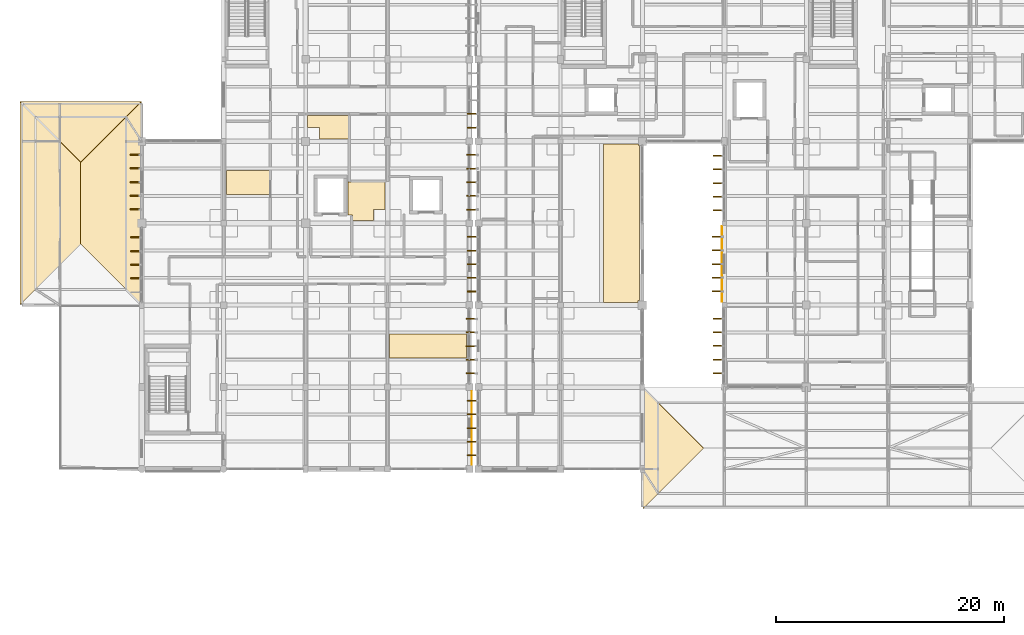
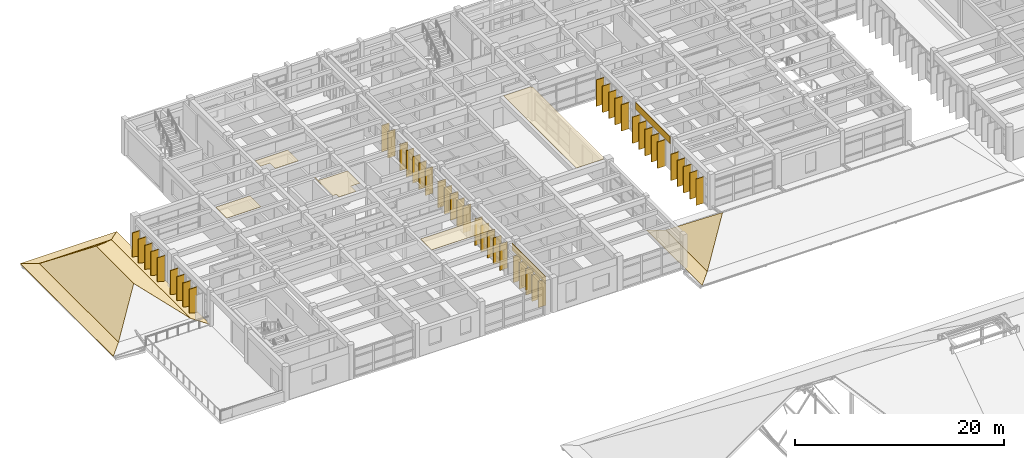
# One storey, part 93 of 100: 46 shading devices, 15 coverings.
"""IFC4 building model written with IfcOpenShell, lengths in metres."""

from ifc_helpers import new_model, si_unit, direction, frame, origin, origin_2d, place, context, subcontext, project, spatial, polyline, rectangle, outline, extrude, material, layer, layer_set, material_profile, profile_set, type_object, element, save


model = new_model("IFC4")

# Units and contexts
model_context = context("Model", 3, precision=1e-05, world=origin(), true_north=direction((0.0, 1.0)))
body_context = subcontext(model_context, "Body", "Model", "MODEL_VIEW")
ifc_project = project(units=[si_unit("LENGTHUNIT", "METRE"), si_unit("AREAUNIT", "SQUARE_METRE"), si_unit("VOLUMEUNIT", "CUBIC_METRE"), si_unit("PLANEANGLEUNIT", "RADIAN"), si_unit("MASSUNIT", "GRAM", prefix="KILO")], contexts=[model_context])

# Site, building, storey
site_placement = place(None, origin())
site = spatial("IfcSite", under=ifc_project, at=site_placement, CompositionType="ELEMENT")
building_placement = place(site_placement, origin())
building = spatial("IfcBuilding", under=site, at=building_placement, Name="Steenspoor Specialist Clinic", CompositionType="ELEMENT")
storey_placement = place(building_placement, frame((0.0, 0.0, 9.0)))
storey = spatial("IfcBuildingStorey", under=building, at=storey_placement, Name="L02", CompositionType="ELEMENT", Elevation=9.0)

# Coverings
ifc_material_1 = material(Name="Washable acoustic mineral ceiling board", Category="gypsum")
ifc_layer_1 = layer(ifc_material_1, 0.02490234375)
ifc_layer_set_1 = layer_set([ifc_layer_1], Name="Washable acoustic mineral ceiling board")
covering_type_1 = type_object("IfcCoveringType", Name="COV-CEIL-ACOUSTIC", PredefinedType="CEILING", material=ifc_layer_set_1)
covering_1_placement = place(storey_placement, frame((0.0, 0.0, 3.925048828125)))
element("IfcCovering", 1, at=covering_1_placement, inside=storey, type_object=covering_type_1, Name="Acoustic Clinical Ceiling 136", PredefinedType="CEILING", context=body_context, shape_type="SweptSolid", body=[
    extrude(outline(polyline([(66.5400390625, 79.93994140625), (66.409912109375, 79.93994140625), (66.409912109375, 79.794921875), (63.39501953125, 79.794921875), (63.39501953125, 93.72998046875), (66.43505859375, 93.72998046875), (66.43505859375, 93.5849609375), (66.5400390625, 93.5849609375), (66.5400390625, 79.93994140625)])), origin(), (0.0, 0.0, 1.0), 0.02490234375),
])
covering_2_placement = place(storey_placement, frame((0.0, 0.0, 3.925048828125)))
element("IfcCovering", 2, at=covering_2_placement, inside=storey, type_object=covering_type_1, Name="Acoustic Clinical Ceiling 148", PredefinedType="CEILING", context=body_context, shape_type="SweptSolid", body=[
    extrude(outline(polyline([(51.340087890625, 74.889892578125), (44.570068359375, 74.889892578125), (44.570068359375, 77.0), (51.340087890625, 77.0), (51.340087890625, 74.889892578125)])), origin(), (0.0, 0.0, 1.0), 0.02490234375),
])
covering_3_placement = place(storey_placement, frame((0.0, 0.0, 3.925048828125)))
element("IfcCovering", 3, at=covering_3_placement, inside=storey, type_object=covering_type_1, Name="Acoustic Clinical Ceiling 149", PredefinedType="CEILING", context=body_context, shape_type="SweptSolid", body=[
    extrude(outline(polyline([(34.034912109375, 89.2900390625), (30.2451171875, 89.2900390625), (30.2451171875, 91.39990234375), (34.034912109375, 91.39990234375), (34.034912109375, 89.2900390625)])), origin(), (0.0, 0.0, 1.0), 0.02490234375),
])
covering_4_placement = place(storey_placement, frame((0.0, 0.0, 3.925048828125)))
element("IfcCovering", 4, at=covering_4_placement, inside=storey, type_object=covering_type_1, Name="Acoustic Clinical Ceiling 150", PredefinedType="CEILING", context=body_context, shape_type="SweptSolid", body=[
    extrude(outline(polyline([(40.985107421875, 94.14501953125), (38.419921875, 94.14501953125), (38.419921875, 95.169921875), (37.3701171875, 95.169921875), (37.3701171875, 96.2099609375), (40.985107421875, 96.2099609375), (40.985107421875, 94.14501953125)])), origin(), (0.0, 0.0, 1.0), 0.02490234375),
])
covering_5_placement = place(storey_placement, frame((0.0, 0.0, 3.925048828125)))
element("IfcCovering", 5, at=covering_5_placement, inside=storey, type_object=covering_type_1, Name="Acoustic Clinical Ceiling 151", PredefinedType="CEILING", context=body_context, shape_type="SweptSolid", body=[
    extrude(outline(polyline([(40.9150390625, 87.465087890625), (40.9150390625, 90.93505859375), (40.985107421875, 90.93505859375), (40.985107421875, 90.360107421875), (44.179931640625, 90.360107421875), (44.179931640625, 87.969970703125), (43.179931640625, 87.969970703125), (43.179931640625, 86.969970703125), (41.31494140625, 86.969970703125), (41.31494140625, 87.465087890625), (40.9150390625, 87.465087890625)])), origin(), (0.0, 0.0, 1.0), 0.02490234375),
])
ifc_material_2 = material(Name="Glazed ceramic relief spandrel cladding", Category="masonry")
ifc_layer_2 = layer(ifc_material_2, 0.034912109375)
ifc_layer_set_2 = layer_set([ifc_layer_2], Name="Glazed ceramic relief spandrel cladding")
covering_type_2 = type_object("IfcCoveringType", Name="COV-CLAD-CERAMIC", PredefinedType="CLADDING", material=ifc_layer_set_2)
covering_6_placement = place(storey_placement, frame((73.800048828125, 83.16259765625, 3.11474609375), z_axis=(0.0, 0.0, 1.0), x_axis=(0.0, 1.0, 0.0)))
element("IfcCovering", 6, at=covering_6_placement, inside=storey, type_object=covering_type_2, Name="Spandrel Cladding 46", PredefinedType="CLADDING", context=body_context, shape_type="SweptSolid", body=[
    extrude(rectangle(XDim=6.655029296875, YDim=0.0400390625, at=origin_2d()), origin(), (0.0, 0.0, 1.0), 0.840087890625),
])
covering_7_placement = place(storey_placement, frame((51.800048828125, 68.75, 3.11474609375), z_axis=(0.0, 0.0, 1.0), x_axis=(0.0, -1.0, 0.0)))
element("IfcCovering", 7, at=covering_7_placement, inside=storey, type_object=covering_type_2, Name="Spandrel Cladding 75", PredefinedType="CLADDING", context=body_context, shape_type="SweptSolid", body=[
    extrude(rectangle(XDim=6.47998046875, YDim=0.0400390625, at=origin_2d()), origin(), (0.0, 0.0, 1.0), 0.840087890625),
])
ifc_material_3 = material(Name="Extruded terracotta clay roof tile", Category="masonry")
ifc_layer_3 = layer(ifc_material_3, 0.044921875)
ifc_layer_set_3 = layer_set([ifc_layer_3], Name="Extruded terracotta clay roof tile")
covering_type_3 = type_object("IfcCoveringType", Name="COV-ROOF-TILE", PredefinedType="ROOFING", material=ifc_layer_set_3)
covering_8_placement = place(storey_placement, frame((66.830078125, 72.320068359375, 0.048095703125), z_axis=(-0.241833577284, 0.0, 0.970317742236), x_axis=(0.0, -1.0, 0.0)))
element("IfcCovering", 8, at=covering_8_placement, inside=storey, type_object=covering_type_3, Name="Clay Tile Roofing V4T1 SKW", PredefinedType="ROOFING", context=body_context, shape_type="SweptSolid", body=[
    extrude(outline(polyline([(0.0, 0.0), (10.670166015625, 0.0), (9.320068359375, 1.3911458658008675), (1.35009765625, 1.3911458658008675), (0.0, 0.0)])), origin(), (0.0, 0.0, -1.0), 0.044921875),
])
covering_9_placement = place(storey_placement, frame((68.179931640625, 70.969970703125, 0.384521484375), z_axis=(-0.609461920138, 0.0, 0.792815342877), x_axis=(0.0, -1.0, 0.0)))
element("IfcCovering", 9, at=covering_9_placement, inside=storey, type_object=covering_type_3, Name="Clay Tile Roofing V4T1 W", PredefinedType="ROOFING", context=body_context, shape_type="SweptSolid", body=[
    extrude(outline(polyline([(0.0, 0.0), (7.969970703125, 0.0), (3.98486328125, 5.02652661515584), (0.0, 0.0)])), origin(), (0.0, 0.0, -1.0), 0.044921875),
])
covering_10_placement = place(storey_placement, frame((22.77001953125, 97.449951171875, 0.048095703125), z_axis=(0.0, 0.241833577284, 0.970317742236), x_axis=(-1.0, 0.0, 0.0)))
element("IfcCovering", 10, at=covering_10_placement, inside=storey, type_object=covering_type_3, Name="Clay Tile Roofing V5T1 SKN", PredefinedType="ROOFING", context=body_context, shape_type="SweptSolid", body=[
    extrude(outline(polyline([(0.0, 0.0), (10.669921875, 0.0), (9.320068359375, 1.3911458658008673), (1.35009765625, 1.3911458658008673), (0.0, 0.0)])), origin(), (0.0, 0.0, -1.0), 0.044921875),
])
covering_11_placement = place(storey_placement, frame((12.10009765625, 97.449951171875, 0.048095703125), z_axis=(-0.241833577284, 0.0, 0.970317742236), x_axis=(0.0, -1.0, 0.0)))
element("IfcCovering", 11, at=covering_11_placement, inside=storey, type_object=covering_type_3, Name="Clay Tile Roofing V5T1 SKW", PredefinedType="ROOFING", context=body_context, shape_type="SweptSolid", body=[
    extrude(outline(polyline([(0.0, 0.0), (17.869873046875, 0.0), (16.52001953125, 1.3911458658008673), (1.349853515625, 1.3911458658008673), (0.0, 0.0)])), origin(), (0.0, 0.0, -1.0), 0.044921875),
])
covering_12_placement = place(storey_placement, frame((22.77001953125, 79.580078125, 0.048095703125), z_axis=(0.241792402976, 0.0, 0.970328003235), x_axis=(0.0, 1.0, 0.0)))
element("IfcCovering", 12, at=covering_12_placement, inside=storey, type_object=covering_type_3, Name="Clay Tile Roofing V5T1 SKE", PredefinedType="ROOFING", context=body_context, shape_type="SweptSolid", body=[
    extrude(outline(polyline([(0.0, 0.0), (17.869873046875, 0.0), (16.52001953125, 1.3913827610335756), (1.349853515625, 1.3913827610335756), (0.0, 0.0)])), origin(), (0.0, 0.0, -1.0), 0.044921875),
])
covering_13_placement = place(storey_placement, frame((13.449951171875, 96.10009765625, 0.384521484375), z_axis=(-0.609461920138, 0.0, 0.792815342877), x_axis=(0.0, -1.0, 0.0)))
element("IfcCovering", 13, at=covering_13_placement, inside=storey, type_object=covering_type_3, Name="Clay Tile Roofing V5T1 W", PredefinedType="ROOFING", context=body_context, shape_type="SweptSolid", body=[
    extrude(outline(polyline([(0.0, 0.0), (15.170166015625, 0.0), (11.18505859375, 5.02652661515584), (3.985107421875, 5.02652661515584), (0.0, 0.0)])), origin(), (0.0, 0.0, -1.0), 0.044921875),
])
covering_14_placement = place(storey_placement, frame((21.419921875, 80.929931640625, 0.384521484375), z_axis=(0.609485389565, 0.0, 0.792797300643), x_axis=(0.0, 1.0, 0.0)))
element("IfcCovering", 14, at=covering_14_placement, inside=storey, type_object=covering_type_3, Name="Clay Tile Roofing V5T1 E", PredefinedType="ROOFING", context=body_context, shape_type="SweptSolid", body=[
    extrude(outline(polyline([(0.0, 0.0), (15.170166015625, 0.0), (11.18505859375, 5.026333058924899), (3.985107421875, 5.026333058924899), (0.0, 0.0)])), origin(), (0.0, 0.0, -1.0), 0.044921875),
])
covering_15_placement = place(storey_placement, frame((21.419921875, 96.10009765625, 0.384521484375), z_axis=(0.0, 0.609461920138, 0.792815342877), x_axis=(-1.0, 0.0, 0.0)))
element("IfcCovering", 15, at=covering_15_placement, inside=storey, type_object=covering_type_3, Name="Clay Tile Roofing V5T1 N", PredefinedType="ROOFING", context=body_context, shape_type="SweptSolid", body=[
    extrude(outline(polyline([(0.0, 0.0), (7.969970703125, 0.0), (3.98486328125, 5.02652661515584), (0.0, 0.0)])), origin(), (0.0, 0.0, -1.0), 0.044921875),
])

# Shading devices
ifc_material_4 = material(Name="Glulam GL28h", Category="wood")
ifc_material_profile = material_profile(ifc_material_4, rectangle(XDim=0.090087890625, YDim=0.85009765625, at=origin_2d()), Name="GL28H-90X850")
ifc_profile_set = profile_set([ifc_material_profile], Name="Glulam GL28h")
shading_device_type = type_object("IfcShadingDeviceType", Name="SHADE-FIN-850", PredefinedType="JALOUSIE", material=ifc_profile_set)
for number, where, z_axis, x_axis, name in (
    (16, (51.844970703125, 95.14990234375, 0.0), (0.0, 0.0, 1.0), (0.0, 1.0, 0.0), "Glulam Sun Fin FIN-V4-L02-0016"),
    (17, (51.844970703125, 96.35009765625, 0.0), (0.0, 0.0, 1.0), (0.0, 1.0, 0.0), "Glulam Sun Fin FIN-V4-L02-0017"),
    (18, (73.445068359375, 73.5625, 0.0), (0.0, 0.0, 1.0), (0.0, 1.0, 0.0), "Glulam Sun Fin FIN-V4-L02-0046"),
    (19, (73.445068359375, 74.762451171875, 0.0), (0.0, 0.0, 1.0), (0.0, 1.0, 0.0), "Glulam Sun Fin FIN-V4-L02-0047"),
    (20, (73.445068359375, 75.96240234375, 0.0), (0.0, 0.0, 1.0), (0.0, 1.0, 0.0), "Glulam Sun Fin FIN-V4-L02-0048"),
    (21, (73.445068359375, 77.16259765625, 0.0), (0.0, 0.0, 1.0), (0.0, 1.0, 0.0), "Glulam Sun Fin FIN-V4-L02-0049"),
    (22, (73.445068359375, 78.362548828125, 0.0), (0.0, 0.0, 1.0), (0.0, 1.0, 0.0), "Glulam Sun Fin FIN-V4-L02-0050"),
    (23, (73.344970703125, 80.762451171875, 0.0), (0.0, 0.0, 1.0), (0.0, 1.0, 0.0), "Glulam Sun Fin FIN-V4-L02-0051"),
    (24, (73.344970703125, 81.96240234375, 0.0), (0.0, 0.0, 1.0), (0.0, 1.0, 0.0), "Glulam Sun Fin FIN-V4-L02-0052"),
    (25, (73.344970703125, 83.16259765625, 0.0), (0.0, 0.0, 1.0), (0.0, 1.0, 0.0), "Glulam Sun Fin FIN-V4-L02-0053"),
    (26, (73.344970703125, 84.362548828125, 0.0), (0.0, 0.0, 1.0), (0.0, 1.0, 0.0), "Glulam Sun Fin FIN-V4-L02-0054"),
    (27, (73.344970703125, 85.5625, 0.0), (0.0, 0.0, 1.0), (0.0, 1.0, 0.0), "Glulam Sun Fin FIN-V4-L02-0055"),
    (28, (73.445068359375, 87.875, 0.0), (0.0, 0.0, 1.0), (0.0, 1.0, 0.0), "Glulam Sun Fin FIN-V4-L02-0056"),
    (29, (73.445068359375, 89.074951171875, 0.0), (0.0, 0.0, 1.0), (0.0, 1.0, 0.0), "Glulam Sun Fin FIN-V4-L02-0057"),
    (30, (73.445068359375, 90.27490234375, 0.0), (0.0, 0.0, 1.0), (0.0, 1.0, 0.0), "Glulam Sun Fin FIN-V4-L02-0058"),
    (31, (73.445068359375, 91.47509765625, 0.0), (0.0, 0.0, 1.0), (0.0, 1.0, 0.0), "Glulam Sun Fin FIN-V4-L02-0059"),
    (32, (73.445068359375, 92.675048828125, 0.0), (0.0, 0.0, 1.0), (0.0, 1.0, 0.0), "Glulam Sun Fin FIN-V4-L02-0060"),
    (33, (51.844970703125, 66.35009765625, 0.0), (0.0, 0.0, 1.0), (0.0, 1.0, 0.0), "Glulam Sun Fin FIN-V4-L02-0061"),
    (34, (51.844970703125, 67.550048828125, 0.0), (0.0, 0.0, 1.0), (0.0, 1.0, 0.0), "Glulam Sun Fin FIN-V4-L02-0062"),
    (35, (51.844970703125, 68.75, 0.0), (0.0, 0.0, 1.0), (0.0, 1.0, 0.0), "Glulam Sun Fin FIN-V4-L02-0063"),
    (36, (51.844970703125, 69.949951171875, 0.0), (0.0, 0.0, 1.0), (0.0, 1.0, 0.0), "Glulam Sun Fin FIN-V4-L02-0064"),
    (37, (51.844970703125, 71.14990234375, 0.0), (0.0, 0.0, 1.0), (0.0, 1.0, 0.0), "Glulam Sun Fin FIN-V4-L02-0065"),
    (38, (51.7451171875, 73.550048828125, 0.0), (0.0, 0.0, 1.0), (0.0, 1.0, 0.0), "Glulam Sun Fin FIN-V4-L02-0066"),
    (39, (51.7451171875, 74.75, 0.0), (0.0, 0.0, 1.0), (0.0, 1.0, 0.0), "Glulam Sun Fin FIN-V4-L02-0067"),
    (40, (51.7451171875, 75.949951171875, 0.0), (0.0, 0.0, 1.0), (0.0, 1.0, 0.0), "Glulam Sun Fin FIN-V4-L02-0068"),
    (41, (51.7451171875, 77.14990234375, 0.0), (0.0, 0.0, 1.0), (0.0, 1.0, 0.0), "Glulam Sun Fin FIN-V4-L02-0069"),
    (42, (51.7451171875, 78.35009765625, 0.0), (0.0, 0.0, 1.0), (0.0, 1.0, 0.0), "Glulam Sun Fin FIN-V4-L02-0070"),
    (43, (51.844970703125, 80.75, 0.0), (0.0, 0.0, 1.0), (0.0, 1.0, 0.0), "Glulam Sun Fin FIN-V4-L02-0071"),
    (44, (51.844970703125, 81.949951171875, 0.0), (0.0, 0.0, 1.0), (0.0, 1.0, 0.0), "Glulam Sun Fin FIN-V4-L02-0072"),
    (45, (51.844970703125, 83.14990234375, 0.0), (0.0, 0.0, 1.0), (0.0, 1.0, 0.0), "Glulam Sun Fin FIN-V4-L02-0073"),
    (46, (51.844970703125, 84.35009765625, 0.0), (0.0, 0.0, 1.0), (0.0, 1.0, 0.0), "Glulam Sun Fin FIN-V4-L02-0074"),
    (47, (51.844970703125, 85.550048828125, 0.0), (0.0, 0.0, 1.0), (0.0, 1.0, 0.0), "Glulam Sun Fin FIN-V4-L02-0075"),
    (48, (51.804931640625, 87.949951171875, 0.0), (0.0, 0.0, 1.0), (0.0, 1.0, 0.0), "Glulam Sun Fin FIN-V4-L02-0076"),
    (49, (51.804931640625, 89.14990234375, 0.0), (0.0, 0.0, 1.0), (0.0, 1.0, 0.0), "Glulam Sun Fin FIN-V4-L02-0077"),
    (50, (51.804931640625, 90.35009765625, 0.0), (0.0, 0.0, 1.0), (0.0, 1.0, 0.0), "Glulam Sun Fin FIN-V4-L02-0078"),
    (51, (51.804931640625, 91.550048828125, 0.0), (0.0, 0.0, 1.0), (0.0, 1.0, 0.0), "Glulam Sun Fin FIN-V4-L02-0079"),
    (52, (51.804931640625, 92.75, 0.0), (0.0, 0.0, 1.0), (0.0, 1.0, 0.0), "Glulam Sun Fin FIN-V4-L02-0080"),
    (53, (22.2451171875, 81.89990234375, 0.0), (0.0, 0.0, 1.0), (0.0, 1.0, 0.0), "Glulam Sun Fin FIN-V5-L02-0141"),
    (54, (22.2451171875, 83.10009765625, 0.0), (0.0, 0.0, 1.0), (0.0, 1.0, 0.0), "Glulam Sun Fin FIN-V5-L02-0142"),
    (55, (22.2451171875, 84.300048828125, 0.0), (0.0, 0.0, 1.0), (0.0, 1.0, 0.0), "Glulam Sun Fin FIN-V5-L02-0143"),
    (56, (22.2451171875, 85.5, 0.0), (0.0, 0.0, 1.0), (0.0, 1.0, 0.0), "Glulam Sun Fin FIN-V5-L02-0144"),
    (57, (22.205078125, 87.96240234375, 0.0), (0.0, 0.0, 1.0), (0.0, 1.0, 0.0), "Glulam Sun Fin FIN-V5-L02-0145"),
    (58, (22.205078125, 89.16259765625, 0.0), (0.0, 0.0, 1.0), (0.0, 1.0, 0.0), "Glulam Sun Fin FIN-V5-L02-0146"),
    (59, (22.205078125, 90.362548828125, 0.0), (0.0, 0.0, 1.0), (0.0, 1.0, 0.0), "Glulam Sun Fin FIN-V5-L02-0147"),
    (60, (22.205078125, 91.5625, 0.0), (0.0, 0.0, 1.0), (0.0, 1.0, 0.0), "Glulam Sun Fin FIN-V5-L02-0148"),
    (61, (22.205078125, 92.762451171875, 0.0), (0.0, 0.0, 1.0), (0.0, 1.0, 0.0), "Glulam Sun Fin FIN-V5-L02-0149"),
):
    element("IfcShadingDevice", number, at=place(storey_placement, frame(where, z_axis=z_axis, x_axis=x_axis)), inside=storey, type_object=shading_device_type, Name=name, PredefinedType="JALOUSIE", context=body_context, shape_type="SweptSolid", body=[
        extrude(rectangle(XDim=0.090087890625, YDim=0.85009765625, at=origin_2d()), origin(), (0.0, 0.0, 1.0), 3.080078125),
    ])

save(model, "model.ifc")
